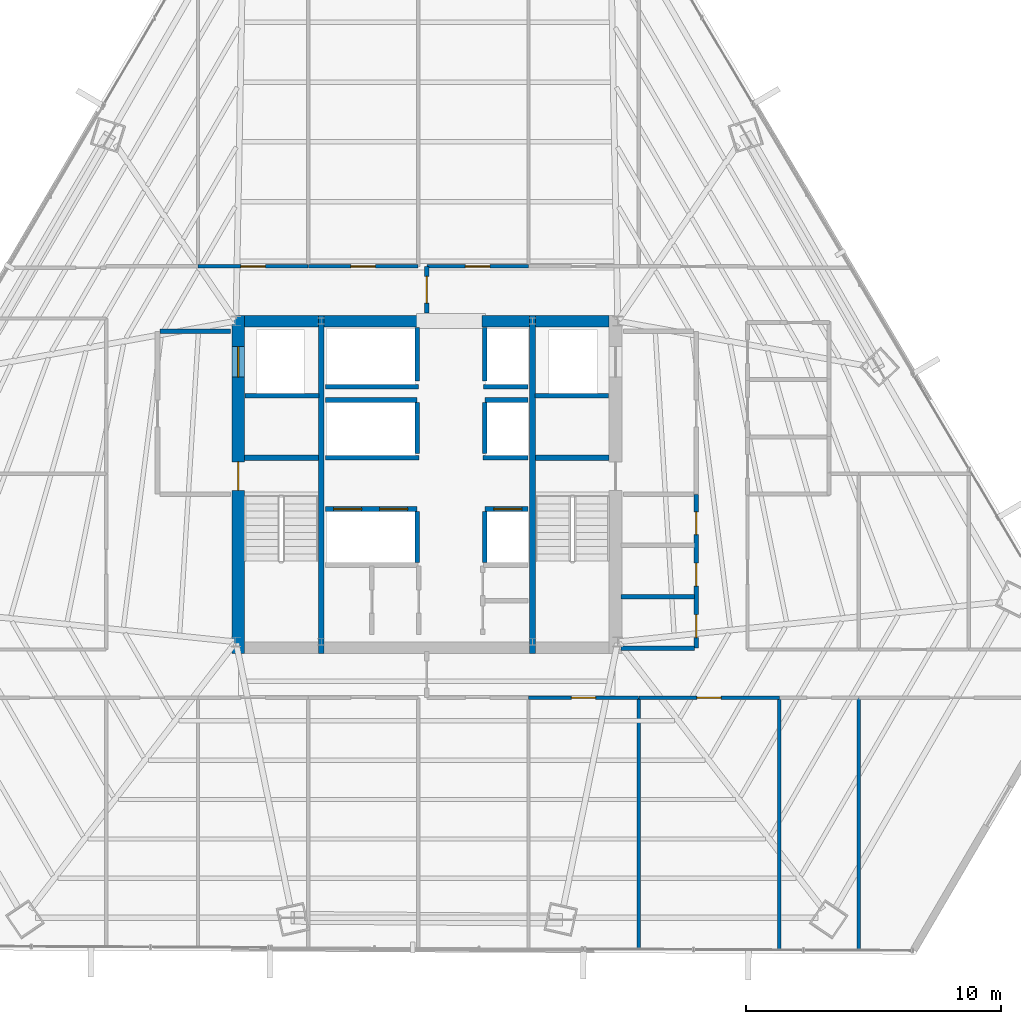
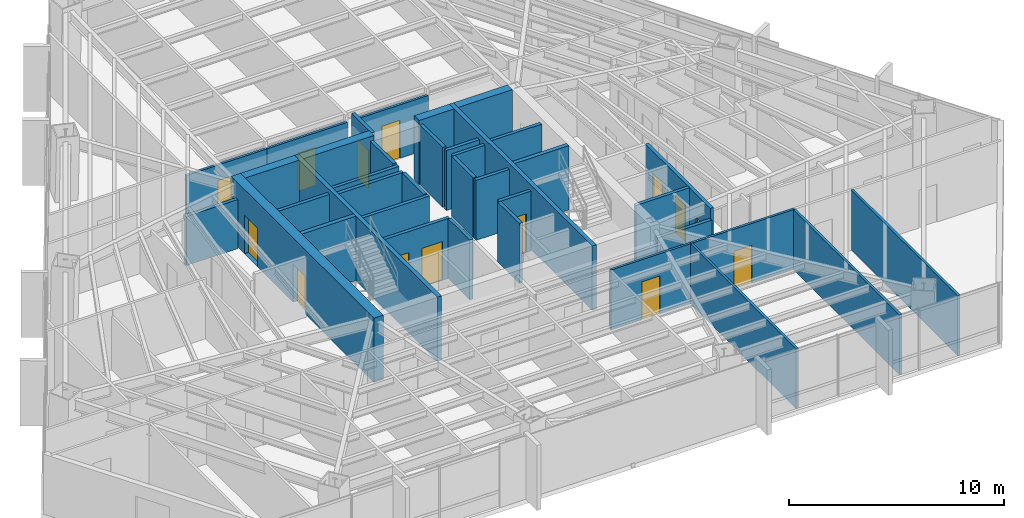
# One storey, part 31 of 36: 38 walls, 14 doors, 14 openings.
"""IFC4 building model written with IfcOpenShell, lengths in metres."""

from ifc_helpers import new_model, si_unit, direction, frame, frame_2d, origin, place, context, subcontext, project, spatial, rectangle, extrude, material, layer, layer_set, type_object, element, fill, save


model = new_model("IFC4")

# Units and contexts
model_context = context("Model", 3, precision=1e-05, world=origin(), true_north=direction((0.0, 1.0)))
body_context = subcontext(model_context, "Body", "Model", "MODEL_VIEW")
ifc_project = project(units=[si_unit("LENGTHUNIT", "METRE"), si_unit("AREAUNIT", "SQUARE_METRE"), si_unit("VOLUMEUNIT", "CUBIC_METRE"), si_unit("PLANEANGLEUNIT", "RADIAN"), si_unit("MASSUNIT", "GRAM", prefix="KILO")], contexts=[model_context])

# Site, building, storey
site_placement = place(None, origin())
site = spatial("IfcSite", under=ifc_project, at=site_placement, CompositionType="ELEMENT")
building_placement = place(site_placement, origin())
building = spatial("IfcBuilding", under=site, at=building_placement, Name="Caelisora Broadcast Tower", CompositionType="ELEMENT")
storey_placement = place(building_placement, frame((0.0, 0.0, 112.699951171875)))
storey = spatial("IfcBuildingStorey", under=building, at=storey_placement, Name="L29", CompositionType="ELEMENT", Elevation=112.699951171875)

# Wall, openings, doors
ifc_material_1 = material(Name="Concrete 50 MPa (AS 3600 S50)", Category="concrete")
ifc_layer_1 = layer(ifc_material_1, 0.5, Name="Concrete 50 MPa (AS 3600 S50)")
ifc_layer_set_1 = layer_set([ifc_layer_1], Name="Concrete 50 MPa (AS 3600 S50)")
wall_type_1 = type_object("IfcWallType", Name="CW2", PredefinedType="SHEAR", material=ifc_layer_set_1)
wall_1_placement = place(storey_placement, frame((30.590087890625, 16.949951171875, 0.0), z_axis=(0.0, 0.0, 1.0), x_axis=(0.0, 1.0, 0.0)))
wall_1 = element("IfcWall", 1, at=wall_1_placement, inside=storey, type_object=wall_type_1, Name="L29 core shear wall CW2", PredefinedType="SHEAR", context=body_context, shape_type="SweptSolid", body=[
    extrude(rectangle(XDim=13.275146484375, YDim=0.5, at=frame_2d((6.6376953125, 0.0))), origin(), (0.0, 0.0, 1.0), 3.650146484375),
])
opening_1_placement = place(wall_1_placement, frame((6.39990234375, 0.0, 0.0)))
opening_1 = element("IfcOpeningElement", 2, at=opening_1_placement, cuts=wall_1, Name="Opening FD04", PredefinedType="OPENING", context=body_context, shape_type="SweptSolid", body=[
    extrude(rectangle(XDim=1.1201171875, YDim=2.14990234375, at=frame_2d((0.56005859375, 1.074951171875))), frame((0.0, 0.261962890625, 0.0), z_axis=(0.0, -1.0, 0.0), x_axis=(1.0, 0.0, 0.0)), (0.0, 0.0, 1.0), 0.52392578125),
])
opening_2_placement = place(wall_1_placement, frame((10.85009765625, 0.0, 0.0)))
opening_2 = element("IfcOpeningElement", 3, at=opening_2_placement, cuts=wall_1, Name="Opening LD04", PredefinedType="OPENING", context=body_context, shape_type="SweptSolid", body=[
    extrude(rectangle(XDim=1.199951171875, YDim=2.199951171875, at=frame_2d((0.60009765625, 1.10009765625))), frame((0.0, 0.261962890625, 0.0), z_axis=(0.0, -1.0, 0.0), x_axis=(1.0, 0.0, 0.0)), (0.0, 0.0, 1.0), 0.52392578125),
])
ifc_material_2 = material(Name="Pressurised Fire-Isolated Stair Door", Category="steel")
door_type_1 = type_object("IfcDoorType", Name="FD04", OperationType="NOTDEFINED", PredefinedType="DOOR", material=ifc_material_2)
door_1_placement = place(opening_1_placement, origin())
door_1 = element("IfcDoor", 4, at=door_1_placement, inside=storey, type_object=door_type_1, Name="L29 door FD04 (L29-DR-ST1)", OperationType="SINGLE_SWING_LEFT", OverallHeight=2.14990234375, OverallWidth=1.1201171875, PredefinedType="DOOR", context=body_context, shape_type="SweptSolid", body=[
    extrude(rectangle(XDim=1.1201171875, YDim=2.14990234375, at=frame_2d((0.56005859375, 1.074951171875))), frame((0.0, 0.02490234375, 0.0), z_axis=(0.0, -1.0, 0.0), x_axis=(1.0, 0.0, 0.0)), (0.0, 0.0, 1.0), 0.050048828125),
])
fill(opening_1, door_1)
ifc_material_3 = material(Name="Emergency Firefighting Lift Sliding Landing Door", Category="steel")
door_type_2 = type_object("IfcDoorType", Name="LD04", OperationType="NOTDEFINED", PredefinedType="DOOR", material=ifc_material_3)
door_2_placement = place(opening_2_placement, origin())
door_2 = element("IfcDoor", 5, at=door_2_placement, inside=storey, type_object=door_type_2, Name="L29 door LD04 (L29-LD-FFL1)", OperationType="SLIDING_TO_LEFT", OverallHeight=2.199951171875, OverallWidth=1.199951171875, PredefinedType="DOOR", context=body_context, shape_type="SweptSolid", body=[
    extrude(rectangle(XDim=1.199951171875, YDim=2.199951171875, at=frame_2d((0.60009765625, 1.10009765625))), frame((0.0, 0.02490234375, 0.0), z_axis=(0.0, -1.0, 0.0), x_axis=(1.0, 0.0, 0.0)), (0.0, 0.0, 1.0), 0.050048828125),
])
fill(opening_2, door_2)

# Walls
ifc_layer_2 = layer(ifc_material_1, 0.449951171875, Name="Concrete 50 MPa (AS 3600 S50)")
ifc_layer_set_2 = layer_set([ifc_layer_2], Name="Concrete 50 MPa (AS 3600 S50)")
wall_type_2 = type_object("IfcWallType", Name="CW5", PredefinedType="SHEAR", material=ifc_layer_set_2)
wall_2_placement = place(storey_placement, frame((30.840087890625, 30.0, 0.0), z_axis=(0.0, 0.0, 1.0), x_axis=(1.0, 0.0, 0.0)))
element("IfcWall", 6, at=wall_2_placement, inside=storey, type_object=wall_type_2, Name="L29 core shear wall CW5", PredefinedType="SHEAR", context=body_context, shape_type="SweptSolid", body=[
    extrude(rectangle(XDim=2.89990234375, YDim=0.449951171875, at=frame_2d((1.449951171875, 0.0))), origin(), (0.0, 0.0, 1.0), 3.650146484375),
])
wall_3_placement = place(storey_placement, frame((33.9599609375, 30.0, 0.0), z_axis=(0.0, 0.0, 1.0), x_axis=(1.0, 0.0, 0.0)))
element("IfcWall", 7, at=wall_3_placement, inside=storey, type_object=wall_type_2, Name="L29 core shear wall CW5", PredefinedType="SHEAR", context=body_context, shape_type="SweptSolid", body=[
    extrude(rectangle(XDim=3.780029296875, YDim=0.449951171875, at=frame_2d((1.89013671875, 0.0))), origin(), (0.0, 0.0, 1.0), 3.650146484375),
])
wall_4_placement = place(storey_placement, frame((40.159912109375, 30.0, 0.0), z_axis=(0.0, 0.0, 1.0), x_axis=(1.0, 0.0, 0.0)))
element("IfcWall", 8, at=wall_4_placement, inside=storey, type_object=wall_type_2, Name="L29 core shear wall CW5", PredefinedType="SHEAR", context=body_context, shape_type="SweptSolid", body=[
    extrude(rectangle(XDim=1.880126953125, YDim=0.449951171875, at=frame_2d((0.93994140625, 0.0))), origin(), (0.0, 0.0, 1.0), 3.650146484375),
])
wall_5_placement = place(storey_placement, frame((42.260009765625, 30.0, 0.0), z_axis=(0.0, 0.0, 1.0), x_axis=(1.0, 0.0, 0.0)))
element("IfcWall", 9, at=wall_5_placement, inside=storey, type_object=wall_type_2, Name="L29 core shear wall CW5", PredefinedType="SHEAR", context=body_context, shape_type="SweptSolid", body=[
    extrude(rectangle(XDim=2.89990234375, YDim=0.449951171875, at=frame_2d((1.449951171875, 0.0))), origin(), (0.0, 0.0, 1.0), 3.650146484375),
])
ifc_layer_3 = layer(ifc_material_1, 0.219970703125, Name="Concrete 50 MPa (AS 3600 S50)")
ifc_layer_set_3 = layer_set([ifc_layer_3], Name="Concrete 50 MPa (AS 3600 S50)")
wall_type_3 = type_object("IfcWallType", Name="CW7", PredefinedType="SHEAR", material=ifc_layer_set_3)
for number, where, z_axis, x_axis, name in (
    (10, (33.85009765625, 16.949951171875, 0.0), (0.0, 0.0, 1.0), (0.0, 1.0, 0.0), "L29 core shear wall CW7"),
    (11, (42.14990234375, 16.949951171875, 0.0), (0.0, 0.0, 1.0), (0.0, 1.0, 0.0), "L29 core shear wall CW7"),
):
    element("IfcWall", number, at=place(storey_placement, frame(where, z_axis=z_axis, x_axis=x_axis)), inside=storey, type_object=wall_type_3, Name=name, PredefinedType="SHEAR", context=body_context, shape_type="SweptSolid", body=[
        extrude(rectangle(XDim=13.275146484375, YDim=0.219970703125, at=frame_2d((6.6376953125, 0.0))), origin(), (0.0, 0.0, 1.0), 3.650146484375),
    ])
for number, where, z_axis, x_axis, name in (
    (12, (30.840087890625, 24.639892578125, 0.0), (0.0, 0.0, 1.0), (1.0, 0.0, 0.0), "L29 core shear wall CW7"),
    (13, (42.260009765625, 24.639892578125, 0.0), (0.0, 0.0, 1.0), (1.0, 0.0, 0.0), "L29 core shear wall CW7"),
):
    element("IfcWall", number, at=place(storey_placement, frame(where, z_axis=z_axis, x_axis=x_axis)), inside=storey, type_object=wall_type_3, Name=name, PredefinedType="SHEAR", context=body_context, shape_type="SweptSolid", body=[
        extrude(rectangle(XDim=2.89990234375, YDim=0.219970703125, at=frame_2d((1.449951171875, 0.0))), origin(), (0.0, 0.0, 1.0), 3.650146484375),
    ])

# Wall, openings, doors
ifc_material_4 = material(Name="Fire-Rated Gypsum Shaft and Compartment Wall", Category="gypsum")
ifc_layer_4 = layer(ifc_material_4, 0.179931640625, Name="Fire-Rated Gypsum Shaft and Compartment Wall")
ifc_layer_set_4 = layer_set([ifc_layer_4], Name="Fire-Rated Gypsum Shaft and Compartment Wall")
wall_type_4 = type_object("IfcWallType", Name="PW2", PredefinedType="PARTITIONING", material=ifc_layer_set_4)
wall_6_placement = place(storey_placement, frame((34.02001953125, 22.6201171875, 0.0), z_axis=(0.0, 0.0, 1.0), x_axis=(1.0, 0.0, 0.0)))
wall_6 = element("IfcWall", 14, at=wall_6_placement, inside=storey, type_object=wall_type_4, Name="L29 fire compartment wall PW2", PredefinedType="PARTITIONING", context=body_context, shape_type="SweptSolid", body=[
    extrude(rectangle(XDim=3.60009765625, YDim=0.179931640625, at=frame_2d((1.800048828125, 0.0))), origin(), (0.0, 0.0, 1.0), 3.400146484375),
])
opening_3_placement = place(wall_6_placement, frame((0.320068359375, 0.0, 0.0)))
opening_3 = element("IfcOpeningElement", 15, at=opening_3_placement, cuts=wall_6, Name="Opening LD01", PredefinedType="OPENING", context=body_context, shape_type="SweptSolid", body=[
    extrude(rectangle(XDim=1.10009765625, YDim=2.199951171875, at=frame_2d((0.550048828125, 1.10009765625))), frame((0.0, 0.10205078125, 0.0), z_axis=(0.0, -1.0, 0.0), x_axis=(1.0, 0.0, 0.0)), (0.0, 0.0, 1.0), 0.203857421875),
])
opening_4_placement = place(wall_6_placement, frame((2.1201171875, 0.0, 0.0)))
opening_4 = element("IfcOpeningElement", 16, at=opening_4_placement, cuts=wall_6, Name="Opening LD01", PredefinedType="OPENING", context=body_context, shape_type="SweptSolid", body=[
    extrude(rectangle(XDim=1.10009765625, YDim=2.199951171875, at=frame_2d((0.550048828125, 1.10009765625))), frame((0.0, 0.10205078125, 0.0), z_axis=(0.0, -1.0, 0.0), x_axis=(1.0, 0.0, 0.0)), (0.0, 0.0, 1.0), 0.203857421875),
])
ifc_material_5 = material(Name="Stainless Steel Centre-Parting Lift Landing Door", Category="steel")
door_type_3 = type_object("IfcDoorType", Name="LD01", OperationType="NOTDEFINED", PredefinedType="DOOR", material=ifc_material_5)
door_3_placement = place(opening_3_placement, origin())
door_3 = element("IfcDoor", 17, at=door_3_placement, inside=storey, type_object=door_type_3, Name="L29 door LD01 (L29-LD-PLL1)", OperationType="SLIDING_TO_LEFT", OverallHeight=2.199951171875, OverallWidth=1.10009765625, PredefinedType="DOOR", context=body_context, shape_type="SweptSolid", body=[
    extrude(rectangle(XDim=1.10009765625, YDim=2.199951171875, at=frame_2d((0.550048828125, 1.10009765625))), frame((0.0, 0.02490234375, 0.0), z_axis=(0.0, -1.0, 0.0), x_axis=(1.0, 0.0, 0.0)), (0.0, 0.0, 1.0), 0.050048828125),
])
fill(opening_3, door_3)
door_4_placement = place(opening_4_placement, origin())
door_4 = element("IfcDoor", 18, at=door_4_placement, inside=storey, type_object=door_type_3, Name="L29 door LD01 (L29-LD-PLL2)", OperationType="SLIDING_TO_RIGHT", OverallHeight=2.199951171875, OverallWidth=1.10009765625, PredefinedType="DOOR", context=body_context, shape_type="SweptSolid", body=[
    extrude(rectangle(XDim=1.10009765625, YDim=2.199951171875, at=frame_2d((0.550048828125, 1.10009765625))), frame((0.0, 0.02490234375, 0.0), z_axis=(0.0, -1.0, 0.0), x_axis=(1.0, 0.0, 0.0)), (0.0, 0.0, 1.0), 0.050048828125),
])
fill(opening_4, door_4)

# Wall, opening, door
wall_7_placement = place(storey_placement, frame((40.280029296875, 22.6201171875, 0.0), z_axis=(0.0, 0.0, 1.0), x_axis=(1.0, 0.0, 0.0)))
wall_7 = element("IfcWall", 19, at=wall_7_placement, inside=storey, type_object=wall_type_4, Name="L29 fire compartment wall PW2", PredefinedType="PARTITIONING", context=body_context, shape_type="SweptSolid", body=[
    extrude(rectangle(XDim=1.699951171875, YDim=0.179931640625, at=frame_2d((0.85009765625, 0.0))), origin(), (0.0, 0.0, 1.0), 3.400146484375),
])
opening_5_placement = place(wall_7_placement, frame((0.35009765625, 0.0, 0.0)))
opening_5 = element("IfcOpeningElement", 20, at=opening_5_placement, cuts=wall_7, Name="Opening LD01", PredefinedType="OPENING", context=body_context, shape_type="SweptSolid", body=[
    extrude(rectangle(XDim=1.10009765625, YDim=2.199951171875, at=frame_2d((0.550048828125, 1.10009765625))), frame((0.0, 0.10205078125, 0.0), z_axis=(0.0, -1.0, 0.0), x_axis=(1.0, 0.0, 0.0)), (0.0, 0.0, 1.0), 0.203857421875),
])
door_5_placement = place(opening_5_placement, origin())
door_5 = element("IfcDoor", 21, at=door_5_placement, inside=storey, type_object=door_type_3, Name="L29 door LD01 (L29-LD-PLL3)", OperationType="SLIDING_TO_LEFT", OverallHeight=2.199951171875, OverallWidth=1.10009765625, PredefinedType="DOOR", context=body_context, shape_type="SweptSolid", body=[
    extrude(rectangle(XDim=1.10009765625, YDim=2.199951171875, at=frame_2d((0.550048828125, 1.10009765625))), frame((0.0, 0.02490234375, 0.0), z_axis=(0.0, -1.0, 0.0), x_axis=(1.0, 0.0, 0.0)), (0.0, 0.0, 1.0), 0.050048828125),
])
fill(opening_5, door_5)

# Walls
for number, where, z_axis, x_axis, name in (
    (22, (37.6201171875, 20.52001953125, 0.0), (0.0, 0.0, 1.0), (0.0, 1.0, 0.0), "L29 fire compartment wall PW2"),
    (23, (40.280029296875, 20.52001953125, 0.0), (0.0, 0.0, 1.0), (0.0, 1.0, 0.0), "L29 fire compartment wall PW2"),
):
    element("IfcWall", number, at=place(storey_placement, frame(where, z_axis=z_axis, x_axis=x_axis)), inside=storey, type_object=wall_type_4, Name=name, PredefinedType="PARTITIONING", context=body_context, shape_type="SweptSolid", body=[
        extrude(rectangle(XDim=2.0, YDim=0.179931640625, at=frame_2d((1.0, 0.0))), origin(), (0.0, 0.0, 1.0), 3.400146484375),
    ])
wall_8_placement = place(storey_placement, frame((34.02001953125, 26.89990234375, 0.0), z_axis=(0.0, 0.0, 1.0), x_axis=(1.0, 0.0, 0.0)))
element("IfcWall", 24, at=wall_8_placement, inside=storey, type_object=wall_type_4, Name="L29 fire compartment wall PW2", PredefinedType="PARTITIONING", context=body_context, shape_type="SweptSolid", body=[
    extrude(rectangle(XDim=3.60009765625, YDim=0.179931640625, at=frame_2d((1.800048828125, 0.0))), origin(), (0.0, 0.0, 1.0), 3.400146484375),
])
wall_9_placement = place(storey_placement, frame((40.280029296875, 26.89990234375, 0.0), z_axis=(0.0, 0.0, 1.0), x_axis=(1.0, 0.0, 0.0)))
element("IfcWall", 25, at=wall_9_placement, inside=storey, type_object=wall_type_4, Name="L29 fire compartment wall PW2", PredefinedType="PARTITIONING", context=body_context, shape_type="SweptSolid", body=[
    extrude(rectangle(XDim=1.699951171875, YDim=0.179931640625, at=frame_2d((0.85009765625, 0.0))), origin(), (0.0, 0.0, 1.0), 3.400146484375),
])
for number, where, z_axis, x_axis, name in (
    (26, (37.6201171875, 24.800048828125, 0.0), (0.0, 0.0, 1.0), (0.0, 1.0, 0.0), "L29 fire compartment wall PW2"),
    (27, (40.280029296875, 24.800048828125, 0.0), (0.0, 0.0, 1.0), (0.0, 1.0, 0.0), "L29 fire compartment wall PW2"),
):
    element("IfcWall", number, at=place(storey_placement, frame(where, z_axis=z_axis, x_axis=x_axis)), inside=storey, type_object=wall_type_4, Name=name, PredefinedType="PARTITIONING", context=body_context, shape_type="SweptSolid", body=[
        extrude(rectangle(XDim=2.0, YDim=0.179931640625, at=frame_2d((1.0, 0.0))), origin(), (0.0, 0.0, 1.0), 3.400146484375),
    ])
wall_10_placement = place(storey_placement, frame((34.02001953125, 24.639892578125, 0.0), z_axis=(0.0, 0.0, 1.0), x_axis=(1.0, 0.0, 0.0)))
element("IfcWall", 28, at=wall_10_placement, inside=storey, type_object=wall_type_4, Name="L29 fire compartment wall PW2", PredefinedType="PARTITIONING", context=body_context, shape_type="SweptSolid", body=[
    extrude(rectangle(XDim=3.679931640625, YDim=0.179931640625, at=frame_2d((1.83984375, 0.0))), origin(), (0.0, 0.0, 1.0), 3.400146484375),
])
wall_11_placement = place(storey_placement, frame((40.199951171875, 24.639892578125, 0.0), z_axis=(0.0, 0.0, 1.0), x_axis=(1.0, 0.0, 0.0)))
element("IfcWall", 29, at=wall_11_placement, inside=storey, type_object=wall_type_4, Name="L29 fire compartment wall PW2", PredefinedType="PARTITIONING", context=body_context, shape_type="SweptSolid", body=[
    extrude(rectangle(XDim=1.780029296875, YDim=0.179931640625, at=frame_2d((0.89013671875, 0.0))), origin(), (0.0, 0.0, 1.0), 3.400146484375),
])
wall_12_placement = place(storey_placement, frame((34.02001953125, 27.419921875, 0.0), z_axis=(0.0, 0.0, 1.0), x_axis=(1.0, 0.0, 0.0)))
element("IfcWall", 30, at=wall_12_placement, inside=storey, type_object=wall_type_4, Name="L29 fire compartment wall PW2", PredefinedType="PARTITIONING", context=body_context, shape_type="SweptSolid", body=[
    extrude(rectangle(XDim=3.659912109375, YDim=0.179931640625, at=frame_2d((1.830078125, 0.0))), origin(), (0.0, 0.0, 1.0), 3.400146484375),
])
wall_13_placement = place(storey_placement, frame((40.219970703125, 27.419921875, 0.0), z_axis=(0.0, 0.0, 1.0), x_axis=(1.0, 0.0, 0.0)))
element("IfcWall", 31, at=wall_13_placement, inside=storey, type_object=wall_type_4, Name="L29 fire compartment wall PW2", PredefinedType="PARTITIONING", context=body_context, shape_type="SweptSolid", body=[
    extrude(rectangle(XDim=1.760009765625, YDim=0.179931640625, at=frame_2d((0.8798828125, 0.0))), origin(), (0.0, 0.0, 1.0), 3.400146484375),
])
for number, where, z_axis, x_axis, name in (
    (32, (37.6201171875, 27.639892578125, 0.0), (0.0, 0.0, 1.0), (0.0, 1.0, 0.0), "L29 fire compartment wall PW2"),
    (33, (40.280029296875, 27.639892578125, 0.0), (0.0, 0.0, 1.0), (0.0, 1.0, 0.0), "L29 fire compartment wall PW2"),
):
    element("IfcWall", number, at=place(storey_placement, frame(where, z_axis=z_axis, x_axis=x_axis)), inside=storey, type_object=wall_type_4, Name=name, PredefinedType="PARTITIONING", context=body_context, shape_type="SweptSolid", body=[
        extrude(rectangle(XDim=2.110107421875, YDim=0.179931640625, at=frame_2d((1.05517578125, 0.0))), origin(), (0.0, 0.0, 1.0), 3.400146484375),
    ])
wall_14_placement = place(storey_placement, frame((27.52001953125, 29.60009765625, 0.0), z_axis=(0.0, 0.0, 1.0), x_axis=(1.0, 0.0, 0.0)))
element("IfcWall", 34, at=wall_14_placement, inside=storey, type_object=wall_type_4, Name="L29 fire compartment wall PW2", PredefinedType="PARTITIONING", context=body_context, shape_type="SweptSolid", body=[
    extrude(rectangle(XDim=2.760009765625, YDim=0.179931640625, at=frame_2d((1.3798828125, 0.0))), origin(), (0.0, 0.0, 1.0), 2.782958984375),
])
for number, where, z_axis, x_axis, name in (
    (35, (30.860107421875, 27.070068359375, 0.0), (0.0, 0.0, 1.0), (1.0, 0.0, 0.0), "L29 fire compartment wall PW2"),
    (36, (42.239990234375, 27.070068359375, 0.0), (0.0, 0.0, 1.0), (1.0, 0.0, 0.0), "L29 fire compartment wall PW2"),
    (37, (45.6201171875, 19.169921875, 0.0), (0.0, 0.0, 1.0), (1.0, 0.0, 0.0), "L29 fire compartment wall PW2"),
):
    element("IfcWall", number, at=place(storey_placement, frame(where, z_axis=z_axis, x_axis=x_axis)), inside=storey, type_object=wall_type_4, Name=name, PredefinedType="PARTITIONING", context=body_context, shape_type="SweptSolid", body=[
        extrude(rectangle(XDim=2.89990234375, YDim=0.179931640625, at=frame_2d((1.449951171875, 0.0))), origin(), (0.0, 0.0, 1.0), 3.400146484375),
    ])

# Wall, openings, doors
wall_15_placement = place(storey_placement, frame((48.580078125, 17.14990234375, 0.0), z_axis=(0.0, 0.0, 1.0), x_axis=(0.0, 1.0, 0.0)))
wall_15 = element("IfcWall", 38, at=wall_15_placement, inside=storey, type_object=wall_type_4, Name="L29 fire compartment wall PW2", PredefinedType="PARTITIONING", context=body_context, shape_type="SweptSolid", body=[
    extrude(rectangle(XDim=6.030029296875, YDim=0.179931640625, at=frame_2d((3.01513671875, 0.0))), origin(), (0.0, 0.0, 1.0), 3.400146484375),
])
opening_6_placement = place(wall_15_placement, frame((0.419921875, 0.0, 0.0)))
opening_6 = element("IfcOpeningElement", 39, at=opening_6_placement, cuts=wall_15, Name="Opening FD03", PredefinedType="OPENING", context=body_context, shape_type="SweptSolid", body=[
    extrude(rectangle(XDim=0.89990234375, YDim=2.10009765625, at=frame_2d((0.449951171875, 1.050048828125))), frame((0.0, 0.10205078125, 0.0), z_axis=(0.0, -1.0, 0.0), x_axis=(1.0, 0.0, 0.0)), (0.0, 0.0, 1.0), 0.203857421875),
])
opening_7_placement = place(wall_15_placement, frame((2.43994140625, 0.0, 0.0)))
opening_7 = element("IfcOpeningElement", 40, at=opening_7_placement, cuts=wall_15, Name="Opening FD03", PredefinedType="OPENING", context=body_context, shape_type="SweptSolid", body=[
    extrude(rectangle(XDim=0.89990234375, YDim=2.10009765625, at=frame_2d((0.449951171875, 1.050048828125))), frame((0.0, 0.10205078125, 0.0), z_axis=(0.0, -1.0, 0.0), x_axis=(1.0, 0.0, 0.0)), (0.0, 0.0, 1.0), 0.203857421875),
])
opening_8_placement = place(wall_15_placement, frame((4.4599609375, 0.0, 0.0)))
opening_8 = element("IfcOpeningElement", 41, at=opening_8_placement, cuts=wall_15, Name="Opening FD03", PredefinedType="OPENING", context=body_context, shape_type="SweptSolid", body=[
    extrude(rectangle(XDim=0.89990234375, YDim=2.10009765625, at=frame_2d((0.449951171875, 1.050048828125))), frame((0.0, 0.10205078125, 0.0), z_axis=(0.0, -1.0, 0.0), x_axis=(1.0, 0.0, 0.0)), (0.0, 0.0, 1.0), 0.203857421875),
])
ifc_material_6 = material(Name="Single-Leaf Steel Riser Fire Access Door", Category="steel")
door_type_4 = type_object("IfcDoorType", Name="FD03", OperationType="NOTDEFINED", PredefinedType="DOOR", material=ifc_material_6)
door_6_placement = place(opening_6_placement, origin())
door_6 = element("IfcDoor", 42, at=door_6_placement, inside=storey, type_object=door_type_4, Name="L29 door FD03 (L29-DR-P17D1)", OperationType="SINGLE_SWING_RIGHT", OverallHeight=2.10009765625, OverallWidth=0.89990234375, PredefinedType="DOOR", context=body_context, shape_type="SweptSolid", body=[
    extrude(rectangle(XDim=0.89990234375, YDim=2.10009765625, at=frame_2d((0.449951171875, 1.050048828125))), frame((0.0, 0.02490234375, 0.0), z_axis=(0.0, -1.0, 0.0), x_axis=(1.0, 0.0, 0.0)), (0.0, 0.0, 1.0), 0.050048828125),
])
fill(opening_6, door_6)
door_7_placement = place(opening_7_placement, origin())
door_7 = element("IfcDoor", 43, at=door_7_placement, inside=storey, type_object=door_type_4, Name="L29 door FD03 (L29-DR-P17D2)", OperationType="SINGLE_SWING_LEFT", OverallHeight=2.10009765625, OverallWidth=0.89990234375, PredefinedType="DOOR", context=body_context, shape_type="SweptSolid", body=[
    extrude(rectangle(XDim=0.89990234375, YDim=2.10009765625, at=frame_2d((0.449951171875, 1.050048828125))), frame((0.0, 0.02490234375, 0.0), z_axis=(0.0, -1.0, 0.0), x_axis=(1.0, 0.0, 0.0)), (0.0, 0.0, 1.0), 0.050048828125),
])
fill(opening_7, door_7)
door_8_placement = place(opening_8_placement, origin())
door_8 = element("IfcDoor", 44, at=door_8_placement, inside=storey, type_object=door_type_4, Name="L29 door FD03 (L29-DR-P17D3)", OperationType="SINGLE_SWING_RIGHT", OverallHeight=2.10009765625, OverallWidth=0.89990234375, PredefinedType="DOOR", context=body_context, shape_type="SweptSolid", body=[
    extrude(rectangle(XDim=0.89990234375, YDim=2.10009765625, at=frame_2d((0.449951171875, 1.050048828125))), frame((0.0, 0.02490234375, 0.0), z_axis=(0.0, -1.0, 0.0), x_axis=(1.0, 0.0, 0.0)), (0.0, 0.0, 1.0), 0.050048828125),
])
fill(opening_8, door_8)

# Wall
wall_16_placement = place(storey_placement, frame((45.6201171875, 17.14990234375, 0.0), z_axis=(0.0, 0.0, 1.0), x_axis=(1.0, 0.0, 0.0)))
element("IfcWall", 45, at=wall_16_placement, inside=storey, type_object=wall_type_4, Name="L29 fire compartment wall PW2", PredefinedType="PARTITIONING", context=body_context, shape_type="SweptSolid", body=[
    extrude(rectangle(XDim=2.89990234375, YDim=0.179931640625, at=frame_2d((1.449951171875, 0.0))), origin(), (0.0, 0.0, 1.0), 2.782958984375),
])

# Wall, opening, door
wall_17_placement = place(storey_placement, frame((38.0, 30.320068359375, 0.0), z_axis=(0.0, 0.0, 1.0), x_axis=(0.0, 1.0, 0.0)))
wall_17 = element("IfcWall", 46, at=wall_17_placement, inside=storey, type_object=wall_type_4, Name="L29 fire compartment wall PW2", PredefinedType="PARTITIONING", context=body_context, shape_type="SweptSolid", body=[
    extrude(rectangle(XDim=1.824951171875, YDim=0.179931640625, at=frame_2d((0.91259765625, 0.0))), origin(), (0.0, 0.0, 1.0), 3.400146484375),
])
opening_9_placement = place(wall_17_placement, frame((0.387939453125, 0.0, 0.0)))
opening_9 = element("IfcOpeningElement", 47, at=opening_9_placement, cuts=wall_17, Name="Opening FD02", PredefinedType="OPENING", context=body_context, shape_type="SweptSolid", body=[
    extrude(rectangle(XDim=1.050048828125, YDim=2.14990234375, at=frame_2d((0.52490234375, 1.074951171875))), frame((0.0, 0.10205078125, 0.0), z_axis=(0.0, -1.0, 0.0), x_axis=(1.0, 0.0, 0.0)), (0.0, 0.0, 1.0), 0.203857421875),
])
ifc_material_7 = material(Name="Single-Leaf Steel Fire Lobby Door", Category="steel")
door_type_5 = type_object("IfcDoorType", Name="FD02", OperationType="NOTDEFINED", PredefinedType="DOOR", material=ifc_material_7)
door_9_placement = place(opening_9_placement, origin())
door_9 = element("IfcDoor", 48, at=door_9_placement, inside=storey, type_object=door_type_5, Name="L29 door FD02 (L29-DR-P84D1)", OperationType="SINGLE_SWING_LEFT", OverallHeight=2.14990234375, OverallWidth=1.050048828125, PredefinedType="DOOR", context=body_context, shape_type="SweptSolid", body=[
    extrude(rectangle(XDim=1.050048828125, YDim=2.14990234375, at=frame_2d((0.52490234375, 1.074951171875))), frame((0.0, 0.02490234375, 0.0), z_axis=(0.0, -1.0, 0.0), x_axis=(1.0, 0.0, 0.0)), (0.0, 0.0, 1.0), 0.050048828125),
])
fill(opening_9, door_9)

# Walls
ifc_material_8 = material(Name="Acoustic Steel-Stud Plasterboard Partition", Category="gypsum")
ifc_layer_5 = layer(ifc_material_8, 0.1298828125, Name="Acoustic Steel-Stud Plasterboard Partition")
ifc_layer_set_5 = layer_set([ifc_layer_5], Name="Acoustic Steel-Stud Plasterboard Partition")
wall_type_5 = type_object("IfcWallType", Name="PW3", PredefinedType="PARTITIONING", material=ifc_layer_set_5)
wall_18_placement = place(storey_placement, frame((54.969970703125, 5.2763671875, 0.0), z_axis=(0.0, 0.0, 1.0), x_axis=(0.0, 1.0, 0.0)))
element("IfcWall", 49, at=wall_18_placement, inside=storey, type_object=wall_type_5, Name="L29 internal partition PW3", PredefinedType="PARTITIONING", context=body_context, shape_type="SweptSolid", body=[
    extrude(rectangle(XDim=9.918701171875, YDim=0.1298828125, at=frame_2d((4.95947265625, 0.0))), origin(), (0.0, 0.0, 1.0), 3.400146484375),
])
wall_19_placement = place(storey_placement, frame((51.85009765625, 5.290771484375, 0.0), z_axis=(0.0, 0.0, 1.0), x_axis=(0.0, 1.0, 0.0)))
element("IfcWall", 50, at=wall_19_placement, inside=storey, type_object=wall_type_5, Name="L29 internal partition PW3", PredefinedType="PARTITIONING", context=body_context, shape_type="SweptSolid", body=[
    extrude(rectangle(XDim=9.904296875, YDim=0.1298828125, at=frame_2d((4.9521484375, 0.0))), origin(), (0.0, 0.0, 1.0), 3.400146484375),
])
wall_20_placement = place(storey_placement, frame((46.320068359375, 5.316162109375, 0.0), z_axis=(0.0, 0.0, 1.0), x_axis=(0.0, 1.0, 0.0)))
element("IfcWall", 51, at=wall_20_placement, inside=storey, type_object=wall_type_5, Name="L29 internal partition PW3", PredefinedType="PARTITIONING", context=body_context, shape_type="SweptSolid", body=[
    extrude(rectangle(XDim=9.87890625, YDim=0.1298828125, at=frame_2d((4.939453125, 0.0))), origin(), (0.0, 0.0, 1.0), 3.400146484375),
])

# Wall, opening, door
wall_21_placement = place(storey_placement, frame((46.324951171875, 15.199951171875, 0.0), z_axis=(0.0, 0.0, 1.0), x_axis=(1.0, 0.0, 0.0)))
wall_21 = element("IfcWall", 52, at=wall_21_placement, inside=storey, type_object=wall_type_5, Name="L29 internal partition PW3", PredefinedType="PARTITIONING", context=body_context, shape_type="SweptSolid", body=[
    extrude(rectangle(XDim=5.52001953125, YDim=0.1298828125, at=frame_2d((2.760009765625, 0.0))), origin(), (0.0, 0.0, 1.0), 3.400146484375),
])
opening_10_placement = place(wall_21_placement, frame((2.280029296875, 0.0, 0.0)))
opening_10 = element("IfcOpeningElement", 53, at=opening_10_placement, cuts=wall_21, Name="Opening D01", PredefinedType="OPENING", context=body_context, shape_type="SweptSolid", body=[
    extrude(rectangle(XDim=0.9599609375, YDim=2.14990234375, at=frame_2d((0.47998046875, 1.074951171875))), frame((0.0, 0.076904296875, 0.0), z_axis=(0.0, -1.0, 0.0), x_axis=(1.0, 0.0, 0.0)), (0.0, 0.0, 1.0), 0.15380859375),
])
ifc_material_9 = material(Name="Solid-Core Timber Acoustic Office Door", Category="wood")
door_type_6 = type_object("IfcDoorType", Name="D01", OperationType="NOTDEFINED", PredefinedType="DOOR", material=ifc_material_9)
door_10_placement = place(opening_10_placement, origin())
door_10 = element("IfcDoor", 54, at=door_10_placement, inside=storey, type_object=door_type_6, Name="L29 door D01 (L29-DR-P54D1)", OperationType="SINGLE_SWING_RIGHT", OverallHeight=2.14990234375, OverallWidth=0.9599609375, PredefinedType="DOOR", context=body_context, shape_type="SweptSolid", body=[
    extrude(rectangle(XDim=0.9599609375, YDim=2.14990234375, at=frame_2d((0.47998046875, 1.074951171875))), frame((0.0, 0.02490234375, 0.0), z_axis=(0.0, -1.0, 0.0), x_axis=(1.0, 0.0, 0.0)), (0.0, 0.0, 1.0), 0.050048828125),
])
fill(opening_10, door_10)

wall_22_placement = place(storey_placement, frame((29.014892578125, 32.14990234375, 0.0), z_axis=(0.0, 0.0, 1.0), x_axis=(1.0, 0.0, 0.0)))
wall_22 = element("IfcWall", 55, at=wall_22_placement, inside=storey, type_object=wall_type_5, Name="L29 internal partition PW3", PredefinedType="PARTITIONING", context=body_context, shape_type="SweptSolid", body=[
    extrude(rectangle(XDim=4.320068359375, YDim=0.1298828125, at=frame_2d((2.16015625, 0.0))), origin(), (0.0, 0.0, 1.0), 3.0263671875),
])
opening_11_placement = place(wall_22_placement, frame((1.679931640625, 0.0, 0.0)))
opening_11 = element("IfcOpeningElement", 56, at=opening_11_placement, cuts=wall_22, Name="Opening D01", PredefinedType="OPENING", context=body_context, shape_type="SweptSolid", body=[
    extrude(rectangle(XDim=0.9599609375, YDim=2.14990234375, at=frame_2d((0.47998046875, 1.074951171875))), frame((0.0, 0.076904296875, 0.0), z_axis=(0.0, -1.0, 0.0), x_axis=(1.0, 0.0, 0.0)), (0.0, 0.0, 1.0), 0.15380859375),
])
door_11_placement = place(opening_11_placement, origin())
door_11 = element("IfcDoor", 57, at=door_11_placement, inside=storey, type_object=door_type_6, Name="L29 door D01 (L29-DR-P62D1)", OperationType="SINGLE_SWING_RIGHT", OverallHeight=2.14990234375, OverallWidth=0.9599609375, PredefinedType="DOOR", context=body_context, shape_type="SweptSolid", body=[
    extrude(rectangle(XDim=0.9599609375, YDim=2.14990234375, at=frame_2d((0.47998046875, 1.074951171875))), frame((0.0, 0.02490234375, 0.0), z_axis=(0.0, -1.0, 0.0), x_axis=(1.0, 0.0, 0.0)), (0.0, 0.0, 1.0), 0.050048828125),
])
fill(opening_11, door_11)

wall_23_placement = place(storey_placement, frame((41.9951171875, 15.199951171875, 0.0), z_axis=(0.0, 0.0, 1.0), x_axis=(1.0, 0.0, 0.0)))
wall_23 = element("IfcWall", 58, at=wall_23_placement, inside=storey, type_object=wall_type_5, Name="L29 internal partition PW3", PredefinedType="PARTITIONING", context=body_context, shape_type="SweptSolid", body=[
    extrude(rectangle(XDim=4.31982421875, YDim=0.1298828125, at=frame_2d((2.159912109375, 0.0))), origin(), (0.0, 0.0, 1.0), 3.400146484375),
])
opening_12_placement = place(wall_23_placement, frame((1.679931640625, 0.0, 0.0)))
opening_12 = element("IfcOpeningElement", 59, at=opening_12_placement, cuts=wall_23, Name="Opening D01", PredefinedType="OPENING", context=body_context, shape_type="SweptSolid", body=[
    extrude(rectangle(XDim=0.9599609375, YDim=2.14990234375, at=frame_2d((0.47998046875, 1.074951171875))), frame((0.0, 0.076904296875, 0.0), z_axis=(0.0, -1.0, 0.0), x_axis=(1.0, 0.0, 0.0)), (0.0, 0.0, 1.0), 0.15380859375),
])
door_12_placement = place(opening_12_placement, origin())
door_12 = element("IfcDoor", 60, at=door_12_placement, inside=storey, type_object=door_type_6, Name="L29 door D01 (L29-DR-P66D1)", OperationType="SINGLE_SWING_RIGHT", OverallHeight=2.14990234375, OverallWidth=0.9599609375, PredefinedType="DOOR", context=body_context, shape_type="SweptSolid", body=[
    extrude(rectangle(XDim=0.9599609375, YDim=2.14990234375, at=frame_2d((0.47998046875, 1.074951171875))), frame((0.0, 0.02490234375, 0.0), z_axis=(0.0, -1.0, 0.0), x_axis=(1.0, 0.0, 0.0)), (0.0, 0.0, 1.0), 0.050048828125),
])
fill(opening_12, door_12)

wall_24_placement = place(storey_placement, frame((33.344970703125, 32.14990234375, 0.0), z_axis=(0.0, 0.0, 1.0), x_axis=(1.0, 0.0, 0.0)))
wall_24 = element("IfcWall", 61, at=wall_24_placement, inside=storey, type_object=wall_type_5, Name="L29 internal partition PW3", PredefinedType="PARTITIONING", context=body_context, shape_type="SweptSolid", body=[
    extrude(rectangle(XDim=4.31005859375, YDim=0.1298828125, at=frame_2d((2.155029296875, 0.0))), origin(), (0.0, 0.0, 1.0), 3.0263671875),
])
opening_13_placement = place(wall_24_placement, frame((1.675048828125, 0.0, 0.0)))
opening_13 = element("IfcOpeningElement", 62, at=opening_13_placement, cuts=wall_24, Name="Opening D01", PredefinedType="OPENING", context=body_context, shape_type="SweptSolid", body=[
    extrude(rectangle(XDim=0.9599609375, YDim=2.14990234375, at=frame_2d((0.47998046875, 1.074951171875))), frame((0.0, 0.076904296875, 0.0), z_axis=(0.0, -1.0, 0.0), x_axis=(1.0, 0.0, 0.0)), (0.0, 0.0, 1.0), 0.15380859375),
])
door_13_placement = place(opening_13_placement, origin())
door_13 = element("IfcDoor", 63, at=door_13_placement, inside=storey, type_object=door_type_6, Name="L29 door D01 (L29-DR-P69D1)", OperationType="SINGLE_SWING_RIGHT", OverallHeight=2.14990234375, OverallWidth=0.9599609375, PredefinedType="DOOR", context=body_context, shape_type="SweptSolid", body=[
    extrude(rectangle(XDim=0.9599609375, YDim=2.14990234375, at=frame_2d((0.47998046875, 1.074951171875))), frame((0.0, 0.02490234375, 0.0), z_axis=(0.0, -1.0, 0.0), x_axis=(1.0, 0.0, 0.0)), (0.0, 0.0, 1.0), 0.050048828125),
])
fill(opening_13, door_13)

wall_25_placement = place(storey_placement, frame((38.0048828125, 32.14990234375, 0.0), z_axis=(0.0, 0.0, 1.0), x_axis=(1.0, 0.0, 0.0)))
wall_25 = element("IfcWall", 64, at=wall_25_placement, inside=storey, type_object=wall_type_5, Name="L29 internal partition PW3", PredefinedType="PARTITIONING", context=body_context, shape_type="SweptSolid", body=[
    extrude(rectangle(XDim=3.980224609375, YDim=0.1298828125, at=frame_2d((1.990234375, 0.0))), origin(), (0.0, 0.0, 1.0), 3.0263671875),
])
opening_14_placement = place(wall_25_placement, frame((1.510009765625, 0.0, 0.0)))
opening_14 = element("IfcOpeningElement", 65, at=opening_14_placement, cuts=wall_25, Name="Opening D01", PredefinedType="OPENING", context=body_context, shape_type="SweptSolid", body=[
    extrude(rectangle(XDim=0.9599609375, YDim=2.14990234375, at=frame_2d((0.47998046875, 1.074951171875))), frame((0.0, 0.076904296875, 0.0), z_axis=(0.0, -1.0, 0.0), x_axis=(1.0, 0.0, 0.0)), (0.0, 0.0, 1.0), 0.15380859375),
])
door_14_placement = place(opening_14_placement, origin())
door_14 = element("IfcDoor", 66, at=door_14_placement, inside=storey, type_object=door_type_6, Name="L29 door D01 (L29-DR-P74D1)", OperationType="SINGLE_SWING_LEFT", OverallHeight=2.14990234375, OverallWidth=0.9599609375, PredefinedType="DOOR", context=body_context, shape_type="SweptSolid", body=[
    extrude(rectangle(XDim=0.9599609375, YDim=2.14990234375, at=frame_2d((0.47998046875, 1.074951171875))), frame((0.0, 0.02490234375, 0.0), z_axis=(0.0, -1.0, 0.0), x_axis=(1.0, 0.0, 0.0)), (0.0, 0.0, 1.0), 0.050048828125),
])
fill(opening_14, door_14)

save(model, "model.ifc")
